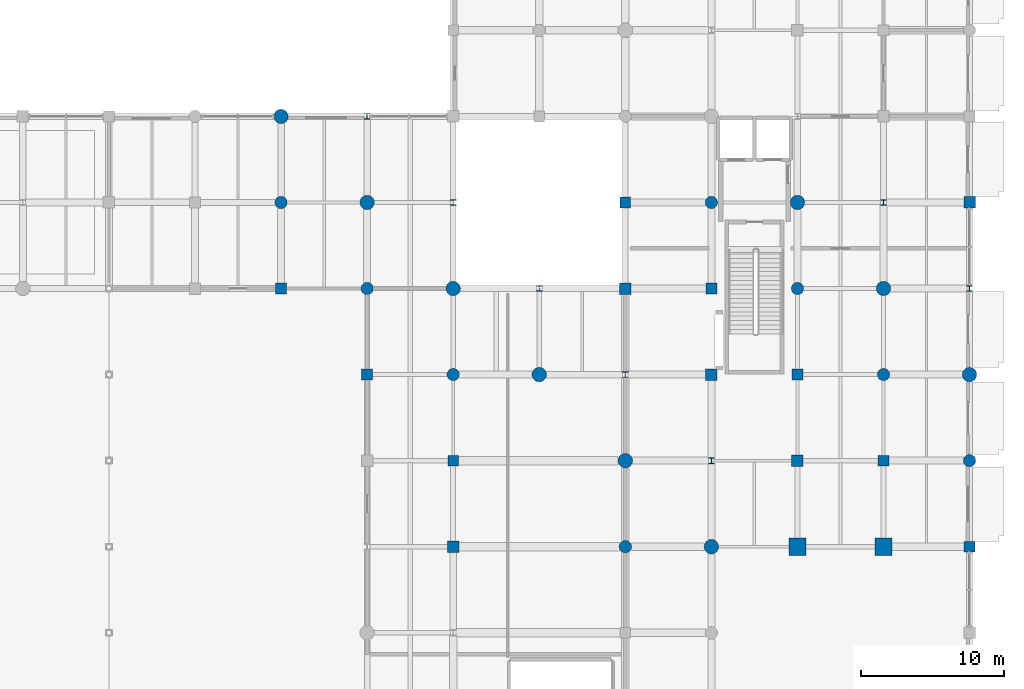
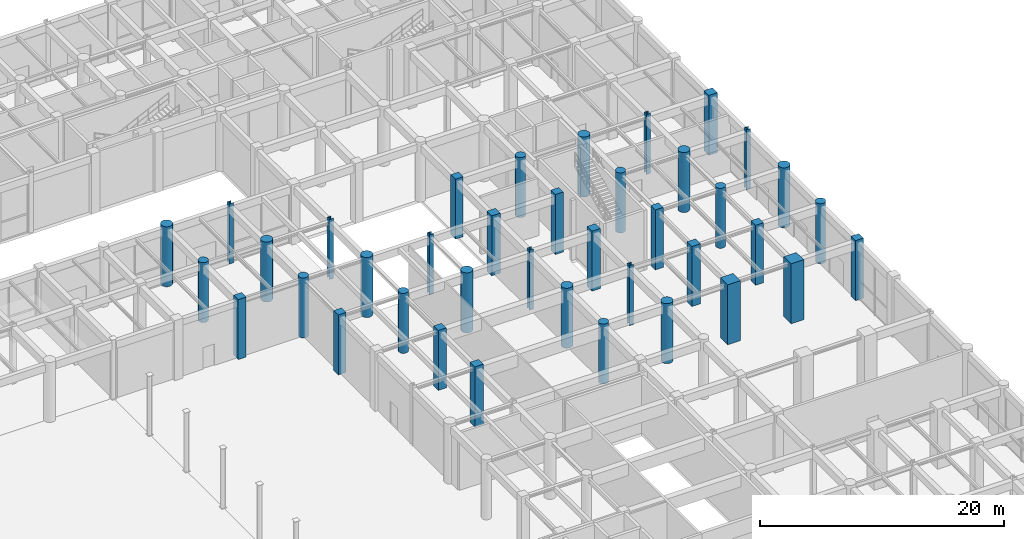
# One storey, part 18 of 106: 39 columns.
"""IFC4 building model written with IfcOpenShell, lengths in metres."""

import ifcopenshell
import ifcopenshell.guid

model = None  # the IFC model being written
_history = None  # IfcOwnerHistory: only IFC2X3 demands one
_inside = {}  # id of a spatial element -> (the spatial element, [elements in it])
_under = {}  # id of a project, library or spatial element -> (it, [spatial elements below it])
_declared = {}  # id of a project -> (the project, [libraries it declares])
_typed = {}  # id of a type object -> (the type object, [elements of that type])
_made_of = {}  # id of a material, layer set ... -> (it, [elements and type objects made of it])


def new_model(schema):
    """Start an empty IFC model of exactly this schema.

    Asked for "IFC4X3", IfcOpenShell would pick the latest addendum, in which some entities
    have other attributes; the version numbers below select the first issue.
    IFC2X3 requires an IfcOwnerHistory on every rooted entity: one is made here for all.
    """
    global model, _history
    if schema == "IFC4X3":
        model = ifcopenshell.file(schema_version=(4, 3, 0, 0))
    else:
        model = ifcopenshell.file(schema=schema)
    _inside.clear()
    _under.clear()
    _declared.clear()
    _typed.clear()
    _made_of.clear()
    _history = None
    if model.schema == "IFC2X3":
        org = make("IfcOrganization", Name="unknown")
        user = make(
            "IfcPersonAndOrganization",
            ThePerson=make("IfcPerson", FamilyName="unknown"),
            TheOrganization=org,
        )
        app = make(
            "IfcApplication",
            ApplicationDeveloper=org,
            Version="unknown",
            ApplicationFullName="unknown",
            ApplicationIdentifier="unknown",
        )
        _history = make(
            "IfcOwnerHistory",
            OwningUser=user,
            OwningApplication=app,
            ChangeAction="ADDED",
            CreationDate=0,
        )
    return model


def make(cls, **values):
    """One entity of the class cls with the attributes given. An attribute that is None is left unset."""
    return model.create_entity(
        cls, **{name: value for name, value in values.items() if value is not None}
    )


def rooted(cls, **values):
    """An entity with a GlobalId (a new one), such as an element, a storey or a relation."""
    return make(cls, GlobalId=ifcopenshell.guid.new(), OwnerHistory=_history, **values)


def si_unit(unit_type, name, prefix=None):
    """IfcSIUnit, for example si_unit("LENGTHUNIT", "METRE", prefix="MILLI")."""
    return make("IfcSIUnit", UnitType=unit_type, Prefix=prefix, Name=name)


def assignment(units):
    """IfcUnitAssignment: the units of a project."""
    return None if units is None else make("IfcUnitAssignment", Units=units)


def point(xyz):
    """IfcCartesianPoint."""
    return None if xyz is None else make("IfcCartesianPoint", Coordinates=xyz)


def direction(xyz):
    """IfcDirection."""
    return None if xyz is None else make("IfcDirection", DirectionRatios=xyz)


def frame(location, z_axis=None, x_axis=None):
    """IfcAxis2Placement3D, a coordinate frame: its origin and axes. An axis left out is left unset."""
    return make(
        "IfcAxis2Placement3D",
        Location=point(location),
        Axis=direction(z_axis),
        RefDirection=direction(x_axis),
    )


def frame_2d(location, x_axis=None):
    """IfcAxis2Placement2D, a coordinate frame in the plane: its origin and x axis."""
    return make(
        "IfcAxis2Placement2D", Location=point(location), RefDirection=direction(x_axis)
    )


def origin():
    """The frame at (0, 0, 0) with its axes left unset."""
    return frame((0.0, 0.0, 0.0))


def origin_2d():
    """The frame at (0, 0) in the plane with its x axis left unset."""
    return frame_2d((0.0, 0.0))


def place(relative_to, where):
    """IfcLocalPlacement: puts the frame where relative to a parent placement (None: the world)."""
    return make(
        "IfcLocalPlacement", PlacementRelTo=relative_to, RelativePlacement=where
    )


def context(
    kind, dimensions, precision=None, world=None, true_north=None, identifier=None
):
    """IfcGeometricRepresentationContext, for example the 3D "Model" context."""
    return make(
        "IfcGeometricRepresentationContext",
        ContextIdentifier=identifier,
        ContextType=kind,
        CoordinateSpaceDimension=dimensions,
        Precision=precision,
        WorldCoordinateSystem=world,
        TrueNorth=true_north,
    )


def subcontext(parent, identifier, kind, view, scale=None):
    """IfcGeometricRepresentationSubContext, for example "Body" below "Model"."""
    return make(
        "IfcGeometricRepresentationSubContext",
        ContextIdentifier=identifier,
        ContextType=kind,
        ParentContext=parent,
        TargetScale=scale,
        TargetView=view,
    )


def project(units=None, contexts=None):
    """IfcProject with its units and contexts."""
    return rooted(
        "IfcProject",
        Name="project",
        RepresentationContexts=contexts,
        UnitsInContext=assignment(units),
    )


def spatial(cls, under=None, at=None, **own):
    """A site, building, storey or space (cls), placed at a placement, below another one or the project."""
    s = rooted(cls, ObjectPlacement=at, **own)
    if under is not None:
        _under.setdefault(under.id(), (under, []))[1].append(s)
    return s


def profile(cls, at=None, kind="AREA", **sizes):
    """A parametric profile (cls). Its sizes go by their IFC names, for example OverallWidth=200.0."""
    return make(cls, ProfileType=kind, Position=at, **sizes)


def rectangle(**sizes):
    """IfcRectangleProfileDef."""
    return profile("IfcRectangleProfileDef", **sizes)


def circle(**sizes):
    """IfcCircleProfileDef."""
    return profile("IfcCircleProfileDef", **sizes)


def i_section(**sizes):
    """IfcIShapeProfileDef."""
    return profile("IfcIShapeProfileDef", **sizes)


def extrude(swept, where, along, depth):
    """IfcExtrudedAreaSolid: the profile swept, set in the frame where, extruded along a direction by depth."""
    return make(
        "IfcExtrudedAreaSolid",
        SweptArea=swept,
        Position=where,
        ExtrudedDirection=direction(along),
        Depth=depth,
    )


def shape(context_of_items, identifier, shape_type, items):
    """IfcShapeRepresentation: the items that make up one representation, for example the "Body"."""
    return make(
        "IfcShapeRepresentation",
        ContextOfItems=context_of_items,
        RepresentationIdentifier=identifier,
        RepresentationType=shape_type,
        Items=items,
    )


def material(Name=None, Category=None):
    """IfcMaterial."""
    return make("IfcMaterial", Name=Name, Category=Category)


def material_profile(
    of_material, cross_section, Name=None, Category=None, Priority=None
):
    """IfcMaterialProfile: a cross section and its material."""
    return make(
        "IfcMaterialProfile",
        Name=Name,
        Material=of_material,
        Profile=cross_section,
        Priority=Priority,
        Category=Category,
    )


def profile_set(profiles, Name=None, composite=None):
    """IfcMaterialProfileSet."""
    return make(
        "IfcMaterialProfileSet",
        Name=Name,
        MaterialProfiles=profiles,
        CompositeProfile=composite,
    )


def made_of(thing, what):
    """Note that an element or type object is made of a material, layer set ...; save() writes the relation."""
    if what is not None:
        _made_of.setdefault(what.id(), (what, []))[1].append(thing)
    return thing


def type_object(cls, material=None, **own):
    """A type object (cls), such as IfcWallType, which elements share."""
    return made_of(rooted(cls, **own), material)


def element(
    cls,
    number,
    at=None,
    inside=None,
    cuts=None,
    type_object=None,
    material=None,
    context=None,
    identifier="Body",
    shape_type=None,
    held_by="IfcProductDefinitionShape",
    body=None,
    shapes=None,
    **own,
):
    """One element of the class cls, such as IfcWall. Its Tag is "e" and its number.

    at: its placement. inside: the storey or other place that contains it. cuts: it is an
    opening in that element (IfcRelVoidsElement). A single representation is given by context,
    identifier, shape_type and body (its items); several are given by shapes. held_by: the class
    of the entity that holds the representations. save() writes the other relations.
    """
    e = rooted(cls, Tag="e%d" % number, ObjectPlacement=at, **own)
    if body is not None:
        shapes = [shape(context, identifier, shape_type, body)]
    if shapes is not None:
        e.Representation = make(held_by, Representations=shapes)
    if inside is not None:
        _inside.setdefault(inside.id(), (inside, []))[1].append(e)
    if cuts is not None:
        rooted(
            "IfcRelVoidsElement", RelatingBuildingElement=cuts, RelatedOpeningElement=e
        )
    if type_object is not None:
        _typed.setdefault(type_object.id(), (type_object, []))[1].append(e)
    return made_of(e, material)


def aggregate(whole, parts):
    """IfcRelAggregates: a whole, such as a stair, and the parts it consists of."""
    return rooted("IfcRelAggregates", RelatingObject=whole, RelatedObjects=parts)


def save(model, path):
    """Write the relations noted so far, then the file.

    IfcRelAggregates (storeys below a building ...), IfcRelContainedInSpatialStructure (elements
    in a storey), IfcRelDefinesByType, IfcRelAssociatesMaterial and IfcRelDeclares: one each for
    every whole, place, type object, material and project.
    """
    for whole, parts in _under.values():
        aggregate(whole, parts)
    for where, things in _inside.values():
        rooted(
            "IfcRelContainedInSpatialStructure",
            RelatedElements=things,
            RelatingStructure=where,
        )
    for kind, things in _typed.values():
        rooted("IfcRelDefinesByType", RelatedObjects=things, RelatingType=kind)
    for what, things in _made_of.values():
        rooted("IfcRelAssociatesMaterial", RelatedObjects=things, RelatingMaterial=what)
    for by, libraries in _declared.values():
        rooted("IfcRelDeclares", RelatingContext=by, RelatedDefinitions=libraries)
    model.write(path)


model = new_model("IFC4")

# Units and contexts
model_context = context("Model", 3, precision=1e-05, world=origin(), true_north=direction((0.0, 1.0)))
body_context = subcontext(model_context, "Body", "Model", "MODEL_VIEW")
ifc_project = project(units=[si_unit("LENGTHUNIT", "METRE"), si_unit("AREAUNIT", "SQUARE_METRE"), si_unit("VOLUMEUNIT", "CUBIC_METRE"), si_unit("PLANEANGLEUNIT", "RADIAN"), si_unit("MASSUNIT", "GRAM", prefix="KILO"), si_unit("THERMODYNAMICTEMPERATUREUNIT", "KELVIN"), si_unit("POWERUNIT", "WATT")], contexts=[model_context])

# Site, building, storey
site_placement = place(None, origin())
site = spatial("IfcSite", under=ifc_project, at=site_placement, CompositionType="ELEMENT")
building_placement = place(site_placement, origin())
building = spatial("IfcBuilding", under=site, at=building_placement, Name="Phaisarnlok Congress Hotel", CompositionType="ELEMENT")
storey_placement = place(building_placement, origin())
storey = spatial("IfcBuildingStorey", under=building, at=storey_placement, Name="L00", CompositionType="ELEMENT", Elevation=0.0)

# Columns
ifc_material_1 = material(Name="Concrete C50/60", Category="concrete")
ifc_material_profile_1 = material_profile(ifc_material_1, rectangle(XDim=1.199951171875, YDim=1.199951171875, at=origin_2d()), Name="RC 1200x1200")
ifc_profile_set_1 = profile_set([ifc_material_profile_1], Name="Concrete C50/60")
column_type_1 = type_object("IfcColumnType", Name="COL-RC-1200", PredefinedType="COLUMN", material=ifc_profile_set_1)
for number, where, z_axis, x_axis, name in (
    (1, (168.0, 66.0, 0.0), (0.0, 0.0, 1.0), (1.0, 0.0, 0.0), "Column C-11 (L00)"),
    (2, (174.0, 66.0, 0.0), (0.0, 0.0, 1.0), (1.0, 0.0, 0.0), "Column C-11 (L00)"),
):
    element("IfcColumn", number, at=place(storey_placement, frame(where, z_axis=z_axis, x_axis=x_axis)), inside=storey, type_object=column_type_1, Name=name, PredefinedType="COLUMN", context=body_context, shape_type="SweptSolid", body=[
        extrude(rectangle(XDim=1.199951171875, YDim=1.199951171875, at=origin_2d()), origin(), (0.0, 0.0, 1.0), 6.0),
    ])
ifc_material_profile_2 = material_profile(ifc_material_1, rectangle(XDim=0.75, YDim=0.75, at=origin_2d()), Name="RC 750x750")
ifc_profile_set_2 = profile_set([ifc_material_profile_2], Name="Concrete C50/60")
column_type_2 = type_object("IfcColumnType", Name="COL-RC-750", PredefinedType="COLUMN", material=ifc_profile_set_2)
for number, where, z_axis, x_axis, name in (
    (3, (132.0, 84.0, 0.0), (0.0, 0.0, 1.0), (1.0, 0.0, 0.0), "Column C-06 (L00)"),
    (4, (138.0, 78.0, 0.0), (0.0, 0.0, 1.0), (1.0, 0.0, 0.0), "Column C-06 (L00)"),
    (5, (144.0, 72.0, 0.0), (0.0, 0.0, 1.0), (1.0, 0.0, 0.0), "Column C-06 (L00)"),
    (6, (156.0, 90.0, 0.0), (0.0, 0.0, 1.0), (1.0, 0.0, 0.0), "Column C-06 (L00)"),
    (7, (162.0, 84.0, 0.0), (0.0, 0.0, 1.0), (1.0, 0.0, 0.0), "Column C-06 (L00)"),
    (8, (168.0, 78.0, 0.0), (0.0, 0.0, 1.0), (1.0, 0.0, 0.0), "Column C-06 (L00)"),
    (9, (174.0, 72.0, 0.0), (0.0, 0.0, 1.0), (1.0, 0.0, 0.0), "Column C-06 (L00)"),
):
    element("IfcColumn", number, at=place(storey_placement, frame(where, z_axis=z_axis, x_axis=x_axis)), inside=storey, type_object=column_type_2, Name=name, PredefinedType="COLUMN", context=body_context, shape_type="SweptSolid", body=[
        extrude(rectangle(XDim=0.75, YDim=0.75, at=origin_2d()), origin(), (0.0, 0.0, 1.0), 6.0),
    ])
ifc_material_profile_3 = material_profile(ifc_material_1, rectangle(XDim=0.75, YDim=0.75, at=origin_2d()), Name="RC 750x750")
ifc_profile_set_3 = profile_set([ifc_material_profile_3], Name="Concrete C50/60")
column_type_3 = type_object("IfcColumnType", Name="COL-RC-750-EXT", PredefinedType="COLUMN", material=ifc_profile_set_3)
column_1_placement = place(storey_placement, frame((180.0, 66.0, 0.0), z_axis=(0.0, 0.0, 1.0), x_axis=(1.0, 0.0, 0.0)))
element("IfcColumn", 10, at=column_1_placement, inside=storey, type_object=column_type_3, Name="Column C-06E (L00)", PredefinedType="COLUMN", context=body_context, shape_type="SweptSolid", body=[
    extrude(rectangle(XDim=0.75, YDim=0.75, at=origin_2d()), origin(), (0.0, 0.0, 1.0), 6.0),
])
ifc_material_profile_4 = material_profile(ifc_material_1, rectangle(XDim=0.800048828125, YDim=0.800048828125, at=origin_2d()), Name="RC 800x800")
ifc_profile_set_4 = profile_set([ifc_material_profile_4], Name="Concrete C50/60")
column_type_4 = type_object("IfcColumnType", Name="COL-RC-800", PredefinedType="COLUMN", material=ifc_profile_set_4)
for number, where, z_axis, x_axis, name in (
    (11, (144.0, 66.0, 0.0), (0.0, 0.0, 1.0), (1.0, 0.0, 0.0), "Column C-07 (L00)"),
    (12, (156.0, 84.0, 0.0), (0.0, 0.0, 1.0), (1.0, 0.0, 0.0), "Column C-07 (L00)"),
    (13, (162.0, 78.0, 0.0), (0.0, 0.0, 1.0), (1.0, 0.0, 0.0), "Column C-07 (L00)"),
    (14, (168.0, 72.0, 0.0), (0.0, 0.0, 1.0), (1.0, 0.0, 0.0), "Column C-07 (L00)"),
):
    element("IfcColumn", number, at=place(storey_placement, frame(where, z_axis=z_axis, x_axis=x_axis)), inside=storey, type_object=column_type_4, Name=name, PredefinedType="COLUMN", context=body_context, shape_type="SweptSolid", body=[
        extrude(rectangle(XDim=0.800048828125, YDim=0.800048828125, at=origin_2d()), origin(), (0.0, 0.0, 1.0), 6.0),
    ])
ifc_material_profile_5 = material_profile(ifc_material_1, rectangle(XDim=0.800048828125, YDim=0.800048828125, at=origin_2d()), Name="RC 800x800")
ifc_profile_set_5 = profile_set([ifc_material_profile_5], Name="Concrete C50/60")
column_type_5 = type_object("IfcColumnType", Name="COL-RC-800-EXT", PredefinedType="COLUMN", material=ifc_profile_set_5)
column_2_placement = place(storey_placement, frame((180.0, 90.0, 0.0), z_axis=(0.0, 0.0, 1.0), x_axis=(1.0, 0.0, 0.0)))
element("IfcColumn", 15, at=column_2_placement, inside=storey, type_object=column_type_5, Name="Column C-07E (L00)", PredefinedType="COLUMN", context=body_context, shape_type="SweptSolid", body=[
    extrude(rectangle(XDim=0.800048828125, YDim=0.800048828125, at=origin_2d()), origin(), (0.0, 0.0, 1.0), 6.0),
])
ifc_material_profile_6 = material_profile(ifc_material_1, circle(Radius=0.5, at=origin_2d()), Name="RCC D1000")
ifc_profile_set_6 = profile_set([ifc_material_profile_6], Name="Concrete C50/60")
column_type_6 = type_object("IfcColumnType", Name="COL-RCC-1000", PredefinedType="COLUMN", material=ifc_profile_set_6)
for number, where, z_axis, x_axis, name in (
    (16, (132.0, 96.0, 0.0), (0.0, 0.0, 1.0), (1.0, 0.0, 0.0), "Column C-15 (L00)"),
    (17, (138.0, 90.0, 0.0), (0.0, 0.0, 1.0), (1.0, 0.0, 0.0), "Column C-15 (L00)"),
    (18, (144.0, 84.0, 0.0), (0.0, 0.0, 1.0), (1.0, 0.0, 0.0), "Column C-15 (L00)"),
    (19, (150.0, 78.0, 0.0), (0.0, 0.0, 1.0), (1.0, 0.0, 0.0), "Column C-15 (L00)"),
    (20, (156.0, 72.0, 0.0), (0.0, 0.0, 1.0), (1.0, 0.0, 0.0), "Column C-15 (L00)"),
    (21, (162.0, 66.0, 0.0), (0.0, 0.0, 1.0), (1.0, 0.0, 0.0), "Column C-15 (L00)"),
    (22, (168.0, 90.0, 0.0), (0.0, 0.0, 1.0), (1.0, 0.0, 0.0), "Column C-15 (L00)"),
    (23, (174.0, 84.0, 0.0), (0.0, 0.0, 1.0), (1.0, 0.0, 0.0), "Column C-15 (L00)"),
):
    element("IfcColumn", number, at=place(storey_placement, frame(where, z_axis=z_axis, x_axis=x_axis)), inside=storey, type_object=column_type_6, Name=name, PredefinedType="COLUMN", context=body_context, shape_type="SweptSolid", body=[
        extrude(circle(Radius=0.5, at=origin_2d()), origin(), (0.0, 0.0, 1.0), 6.0),
    ])
ifc_material_profile_7 = material_profile(ifc_material_1, circle(Radius=0.5, at=origin_2d()), Name="RCC D1000")
ifc_profile_set_7 = profile_set([ifc_material_profile_7], Name="Concrete C50/60")
column_type_7 = type_object("IfcColumnType", Name="COL-RCC-1000-EXT", PredefinedType="COLUMN", material=ifc_profile_set_7)
column_3_placement = place(storey_placement, frame((180.0, 78.0, 0.0), z_axis=(0.0, 0.0, 1.0), x_axis=(1.0, 0.0, 0.0)))
element("IfcColumn", 24, at=column_3_placement, inside=storey, type_object=column_type_7, Name="Column C-15E (L00)", PredefinedType="COLUMN", context=body_context, shape_type="SweptSolid", body=[
    extrude(circle(Radius=0.5, at=origin_2d()), origin(), (0.0, 0.0, 1.0), 6.0),
])
ifc_material_profile_8 = material_profile(ifc_material_1, circle(Radius=0.425048828125, at=origin_2d()), Name="RCC D850")
ifc_profile_set_8 = profile_set([ifc_material_profile_8], Name="Concrete C50/60")
column_type_8 = type_object("IfcColumnType", Name="COL-RCC-850", PredefinedType="COLUMN", material=ifc_profile_set_8)
for number, where, z_axis, x_axis, name in (
    (25, (132.0, 90.0, 0.0), (0.0, 0.0, 1.0), (1.0, 0.0, 0.0), "Column C-14 (L00)"),
    (26, (138.0, 84.0, 0.0), (0.0, 0.0, 1.0), (1.0, 0.0, 0.0), "Column C-14 (L00)"),
    (27, (144.0, 78.0, 0.0), (0.0, 0.0, 1.0), (1.0, 0.0, 0.0), "Column C-14 (L00)"),
    (28, (156.0, 66.0, 0.0), (0.0, 0.0, 1.0), (1.0, 0.0, 0.0), "Column C-14 (L00)"),
    (29, (162.0, 90.0, 0.0), (0.0, 0.0, 1.0), (1.0, 0.0, 0.0), "Column C-14 (L00)"),
    (30, (168.0, 84.0, 0.0), (0.0, 0.0, 1.0), (1.0, 0.0, 0.0), "Column C-14 (L00)"),
    (31, (174.0, 78.0, 0.0), (0.0, 0.0, 1.0), (1.0, 0.0, 0.0), "Column C-14 (L00)"),
):
    element("IfcColumn", number, at=place(storey_placement, frame(where, z_axis=z_axis, x_axis=x_axis)), inside=storey, type_object=column_type_8, Name=name, PredefinedType="COLUMN", context=body_context, shape_type="SweptSolid", body=[
        extrude(circle(Radius=0.425048828125, at=origin_2d()), origin(), (0.0, 0.0, 1.0), 6.0),
    ])
ifc_material_profile_9 = material_profile(ifc_material_1, circle(Radius=0.425048828125, at=origin_2d()), Name="RCC D850")
ifc_profile_set_9 = profile_set([ifc_material_profile_9], Name="Concrete C50/60")
column_type_9 = type_object("IfcColumnType", Name="COL-RCC-850-EXT", PredefinedType="COLUMN", material=ifc_profile_set_9)
column_4_placement = place(storey_placement, frame((180.0, 72.0, 0.0), z_axis=(0.0, 0.0, 1.0), x_axis=(1.0, 0.0, 0.0)))
element("IfcColumn", 32, at=column_4_placement, inside=storey, type_object=column_type_9, Name="Column C-14E (L00)", PredefinedType="COLUMN", context=body_context, shape_type="SweptSolid", body=[
    extrude(circle(Radius=0.425048828125, at=origin_2d()), origin(), (0.0, 0.0, 1.0), 6.0),
])
ifc_material_2 = material(Name="Steel S355", Category="steel")
ifc_material_profile_10 = material_profile(ifc_material_2, i_section(OverallWidth=0.40087890625, OverallDepth=0.39892578125, WebThickness=0.0185546875, FlangeThickness=0.030029296875, FilletRadius=0.014892578125, at=origin_2d()), Name="HD 400x314")
ifc_profile_set_10 = profile_set([ifc_material_profile_10], Name="Steel S355")
column_type_10 = type_object("IfcColumnType", Name="COL-STL-HD314", PredefinedType="COLUMN", material=ifc_profile_set_10)
for number, where, z_axis, x_axis, name in (
    (33, (138.0, 96.0, 0.0), (0.0, 0.0, 1.0), (1.0, 0.0, 0.0), "Column SC-04 (L00)"),
    (34, (144.0, 90.0, 0.0), (0.0, 0.0, 1.0), (1.0, 0.0, 0.0), "Column SC-04 (L00)"),
    (35, (150.0, 84.0, 0.0), (0.0, 0.0, 1.0), (1.0, 0.0, 0.0), "Column SC-04 (L00)"),
    (36, (156.0, 78.0, 0.0), (0.0, 0.0, 1.0), (1.0, 0.0, 0.0), "Column SC-04 (L00)"),
    (37, (162.0, 72.0, 0.0), (0.0, 0.0, 1.0), (1.0, 0.0, 0.0), "Column SC-04 (L00)"),
    (38, (174.0, 90.0, 0.0), (0.0, 0.0, 1.0), (1.0, 0.0, 0.0), "Column SC-04 (L00)"),
):
    element("IfcColumn", number, at=place(storey_placement, frame(where, z_axis=z_axis, x_axis=x_axis)), inside=storey, type_object=column_type_10, Name=name, PredefinedType="COLUMN", context=body_context, shape_type="SweptSolid", body=[
        extrude(i_section(OverallWidth=0.40087890625, OverallDepth=0.39892578125, WebThickness=0.0185546875, FlangeThickness=0.030029296875, FilletRadius=0.014892578125, at=origin_2d()), origin(), (0.0, 0.0, 1.0), 6.0),
    ])
ifc_material_profile_11 = material_profile(ifc_material_2, i_section(OverallWidth=0.40087890625, OverallDepth=0.39892578125, WebThickness=0.0185546875, FlangeThickness=0.030029296875, FilletRadius=0.014892578125, at=origin_2d()), Name="HD 400x314")
ifc_profile_set_11 = profile_set([ifc_material_profile_11], Name="Steel S355")
column_type_11 = type_object("IfcColumnType", Name="COL-STL-HD314-EXT", PredefinedType="COLUMN", material=ifc_profile_set_11)
column_5_placement = place(storey_placement, frame((180.0, 84.0, 0.0), z_axis=(0.0, 0.0, 1.0), x_axis=(1.0, 0.0, 0.0)))
element("IfcColumn", 39, at=column_5_placement, inside=storey, type_object=column_type_11, Name="Column SC-04E (L00)", PredefinedType="COLUMN", context=body_context, shape_type="SweptSolid", body=[
    extrude(i_section(OverallWidth=0.40087890625, OverallDepth=0.39892578125, WebThickness=0.0185546875, FlangeThickness=0.030029296875, FilletRadius=0.014892578125, at=origin_2d()), origin(), (0.0, 0.0, 1.0), 6.0),
])

save(model, "model.ifc")
